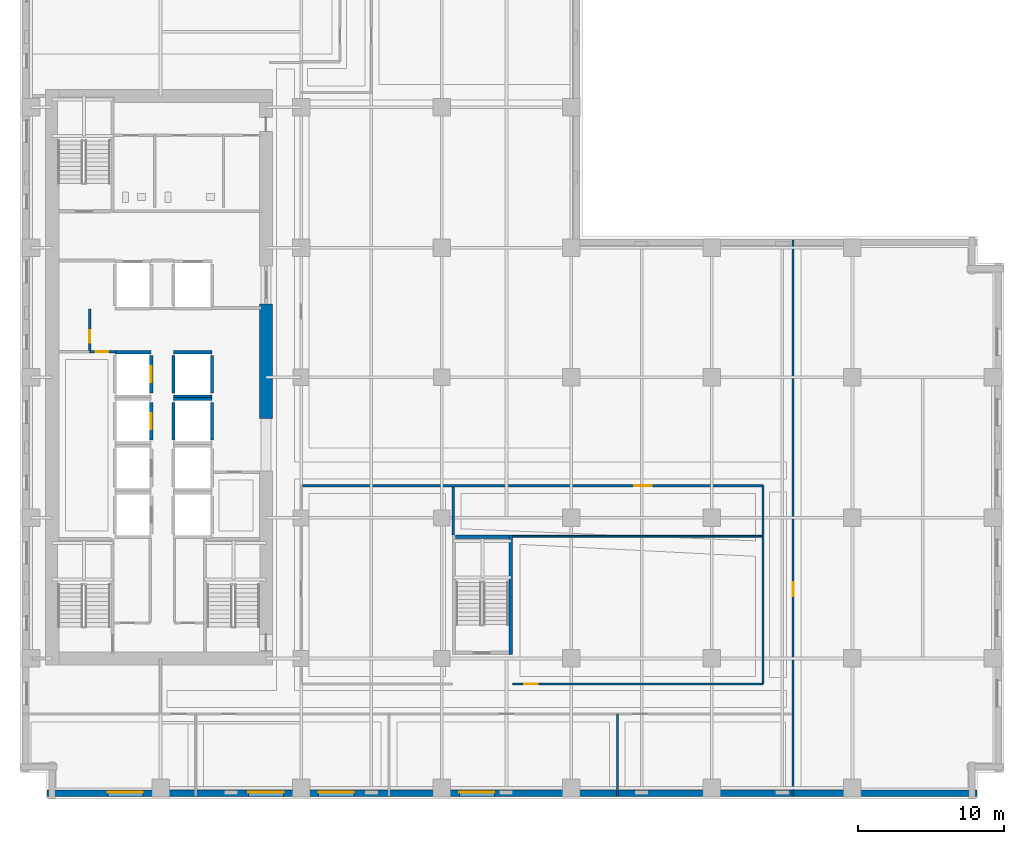
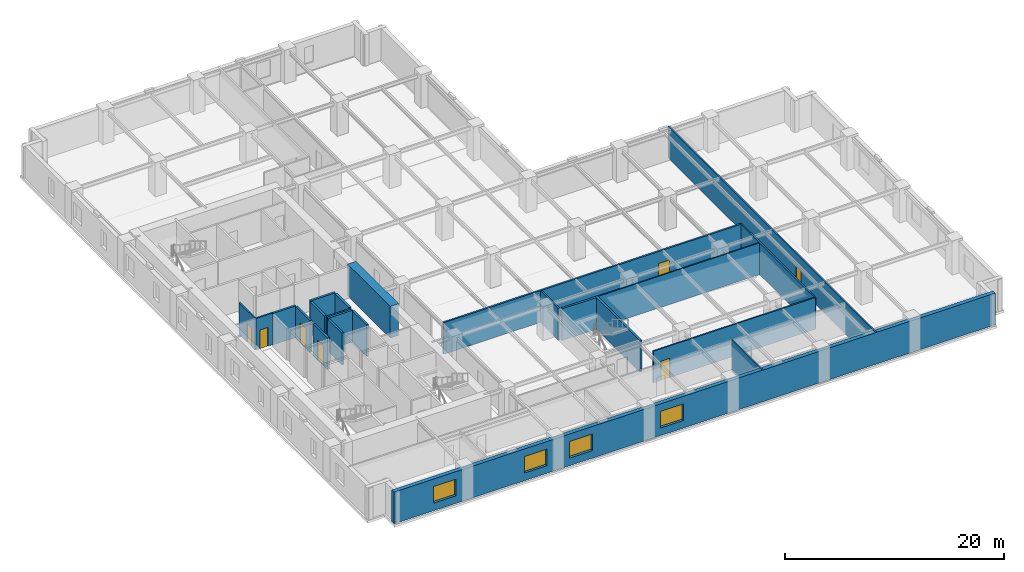
# One storey, part 5 of 13: 23 walls, 7 doors, 4 windows, 11 openings.
"""IFC4 building model written with IfcOpenShell, lengths in metres."""

from ifc_helpers import new_model, si_unit, direction, frame, frame_2d, origin, place, context, subcontext, project, spatial, rectangle, extrude, material, layer, layer_set, type_object, element, fill, save


model = new_model("IFC4")

# Units and contexts
model_context = context("Model", 3, precision=1e-05, world=origin(), true_north=direction((0.0, 1.0)))
body_context = subcontext(model_context, "Body", "Model", "MODEL_VIEW")
ifc_project = project(units=[si_unit("LENGTHUNIT", "METRE"), si_unit("AREAUNIT", "SQUARE_METRE"), si_unit("VOLUMEUNIT", "CUBIC_METRE"), si_unit("PLANEANGLEUNIT", "RADIAN"), si_unit("MASSUNIT", "GRAM", prefix="KILO")], contexts=[model_context])

# Site, building, storey
site_placement = place(None, origin())
site = spatial("IfcSite", under=ifc_project, at=site_placement, CompositionType="ELEMENT")
building_placement = place(site_placement, origin())
building = spatial("IfcBuilding", under=site, at=building_placement, Name="Norrvale University Quadrangle", CompositionType="ELEMENT")
storey_placement = place(building_placement, frame((0.0, 0.0, 35.60009765625)))
storey = spatial("IfcBuildingStorey", under=building, at=storey_placement, Name="L08", CompositionType="ELEMENT", Elevation=35.60009765625)

# Wall, openings, windows
ifc_material_1 = material(Name="Buff Norman Clay Brick Masonry", Category="masonry")
ifc_layer_1 = layer(ifc_material_1, 0.419921875, Name="Buff Norman Clay Brick Masonry")
ifc_layer_set_1 = layer_set([ifc_layer_1], Name="Buff Norman Clay Brick Masonry")
wall_type_1 = type_object("IfcWallType", Name="Wall Buff Brick 420", PredefinedType="SOLIDWALL", material=ifc_layer_set_1)
wall_1_placement = place(storey_placement, frame((1.840087890625, 0.389892578125, 0.0), z_axis=(0.0, 0.0, 1.0), x_axis=(1.0, 0.0, 0.0)))
wall_1 = element("IfcWall", 1, at=wall_1_placement, inside=storey, type_object=wall_type_1, Name="Exterior Brick Facade Wall L08-01.1", PredefinedType="SOLIDWALL", context=body_context, shape_type="SweptSolid", body=[
    extrude(rectangle(XDim=63.52001953125, YDim=0.419921875, at=frame_2d((31.760009765625, 0.0))), origin(), (0.0, 0.0, 1.0), 3.539794921875),
])
opening_1_placement = place(wall_1_placement, frame((4.159912109375, 0.0, 0.85009765625)))
opening_1 = element("IfcOpeningElement", 2, at=opening_1_placement, cuts=wall_1, Name="Opening W02", PredefinedType="OPENING", context=body_context, shape_type="SweptSolid", body=[
    extrude(rectangle(XDim=2.39990234375, YDim=1.85009765625, at=frame_2d((1.199951171875, 0.925048828125))), frame((0.0, 0.221923828125, 0.0), z_axis=(0.0, -1.0, 0.0), x_axis=(1.0, 0.0, 0.0)), (0.0, 0.0, 1.0), 0.44384765625),
])
opening_2_placement = place(wall_1_placement, frame((13.760009765625, 0.0, 0.85009765625)))
opening_2 = element("IfcOpeningElement", 3, at=opening_2_placement, cuts=wall_1, Name="Opening W02", PredefinedType="OPENING", context=body_context, shape_type="SweptSolid", body=[
    extrude(rectangle(XDim=2.39990234375, YDim=1.85009765625, at=frame_2d((1.199951171875, 0.925048828125))), frame((0.0, 0.221923828125, 0.0), z_axis=(0.0, -1.0, 0.0), x_axis=(1.0, 0.0, 0.0)), (0.0, 0.0, 1.0), 0.44384765625),
])
opening_3_placement = place(wall_1_placement, frame((18.56005859375, 0.0, 0.85009765625)))
opening_3 = element("IfcOpeningElement", 4, at=opening_3_placement, cuts=wall_1, Name="Opening W02", PredefinedType="OPENING", context=body_context, shape_type="SweptSolid", body=[
    extrude(rectangle(XDim=2.39990234375, YDim=1.85009765625, at=frame_2d((1.199951171875, 0.925048828125))), frame((0.0, 0.221923828125, 0.0), z_axis=(0.0, -1.0, 0.0), x_axis=(1.0, 0.0, 0.0)), (0.0, 0.0, 1.0), 0.44384765625),
])
opening_4_placement = place(wall_1_placement, frame((28.159912109375, 0.0, 0.85009765625)))
opening_4 = element("IfcOpeningElement", 5, at=opening_4_placement, cuts=wall_1, Name="Opening W02", PredefinedType="OPENING", context=body_context, shape_type="SweptSolid", body=[
    extrude(rectangle(XDim=2.39990234375, YDim=1.85009765625, at=frame_2d((1.199951171875, 0.925048828125))), frame((0.0, 0.221923828125, 0.0), z_axis=(0.0, -1.0, 0.0), x_axis=(1.0, 0.0, 0.0)), (0.0, 0.0, 1.0), 0.44384765625),
])
ifc_material_2 = material(Name="Triple Low-E Argon Glazing", Category="glass")
window_type = type_object("IfcWindowType", Name="Window Academic 2400x2300", PartitioningType="TRIPLE_PANEL_VERTICAL", PredefinedType="WINDOW", material=ifc_material_2)
window_1_placement = place(opening_1_placement, origin())
window_1 = element("IfcWindow", 6, at=window_1_placement, inside=storey, type_object=window_type, Name="Window Academic 2400x2300 WIN-L08-E01-1-01", OverallHeight=1.85009765625, OverallWidth=2.39990234375, PartitioningType="TRIPLE_PANEL_VERTICAL", PredefinedType="WINDOW", context=body_context, shape_type="SweptSolid", body=[
    extrude(rectangle(XDim=2.39990234375, YDim=1.85009765625, at=frame_2d((1.199951171875, 0.925048828125))), frame((0.0, 0.110107421875, 0.0), z_axis=(0.0, -1.0, 0.0), x_axis=(1.0, 0.0, 0.0)), (0.0, 0.0, 1.0), 0.06005859375),
])
fill(opening_1, window_1)
window_2_placement = place(opening_2_placement, origin())
window_2 = element("IfcWindow", 7, at=window_2_placement, inside=storey, type_object=window_type, Name="Window Academic 2400x2300 WIN-L08-E01-1-02", OverallHeight=1.85009765625, OverallWidth=2.39990234375, PartitioningType="TRIPLE_PANEL_VERTICAL", PredefinedType="WINDOW", context=body_context, shape_type="SweptSolid", body=[
    extrude(rectangle(XDim=2.39990234375, YDim=1.85009765625, at=frame_2d((1.199951171875, 0.925048828125))), frame((0.0, 0.110107421875, 0.0), z_axis=(0.0, -1.0, 0.0), x_axis=(1.0, 0.0, 0.0)), (0.0, 0.0, 1.0), 0.06005859375),
])
fill(opening_2, window_2)
window_3_placement = place(opening_3_placement, origin())
window_3 = element("IfcWindow", 8, at=window_3_placement, inside=storey, type_object=window_type, Name="Window Academic 2400x2300 WIN-L08-E01-1-03", OverallHeight=1.85009765625, OverallWidth=2.39990234375, PartitioningType="TRIPLE_PANEL_VERTICAL", PredefinedType="WINDOW", context=body_context, shape_type="SweptSolid", body=[
    extrude(rectangle(XDim=2.39990234375, YDim=1.85009765625, at=frame_2d((1.199951171875, 0.925048828125))), frame((0.0, 0.110107421875, 0.0), z_axis=(0.0, -1.0, 0.0), x_axis=(1.0, 0.0, 0.0)), (0.0, 0.0, 1.0), 0.06005859375),
])
fill(opening_3, window_3)
window_4_placement = place(opening_4_placement, origin())
window_4 = element("IfcWindow", 9, at=window_4_placement, inside=storey, type_object=window_type, Name="Window Academic 2400x2300 WIN-L08-E01-1-04", OverallHeight=1.85009765625, OverallWidth=2.39990234375, PartitioningType="TRIPLE_PANEL_VERTICAL", PredefinedType="WINDOW", context=body_context, shape_type="SweptSolid", body=[
    extrude(rectangle(XDim=2.39990234375, YDim=1.85009765625, at=frame_2d((1.199951171875, 0.925048828125))), frame((0.0, 0.110107421875, 0.0), z_axis=(0.0, -1.0, 0.0), x_axis=(1.0, 0.0, 0.0)), (0.0, 0.0, 1.0), 0.06005859375),
])
fill(opening_4, window_4)

# Walls
ifc_material_3 = material(Name="Concrete C80/95", Category="concrete")
ifc_layer_2 = layer(ifc_material_3, 0.89990234375, Name="Concrete C80/95")
ifc_layer_set_2 = layer_set([ifc_layer_2], Name="Concrete C80/95")
wall_type_2 = type_object("IfcWallType", Name="Wall Core 900", PredefinedType="SHEAR", material=ifc_layer_set_2)
wall_2_placement = place(storey_placement, frame((16.800048828125, 26.0, 0.0), z_axis=(0.0, 0.0, 1.0), x_axis=(0.0, 1.0, 0.0)))
element("IfcWall", 10, at=wall_2_placement, inside=storey, type_object=wall_type_2, Name="Tower Core Shear Wall L08-E2", PredefinedType="SHEAR", context=body_context, shape_type="SweptSolid", body=[
    extrude(rectangle(XDim=7.800048828125, YDim=0.89990234375, at=frame_2d((3.89990234375, 0.0))), origin(), (0.0, 0.0, 1.0), 3.539794921875),
])
ifc_material_4 = material(Name="Standard Academic Gypsum Partition")
ifc_layer_3 = layer(ifc_material_4, 0.125, Name="Standard Academic Gypsum Partition")
ifc_layer_set_3 = layer_set([ifc_layer_3], Name="Standard Academic Gypsum Partition")
wall_type_3 = type_object("IfcWallType", Name="Wall Gypsum Academic 125", PredefinedType="PARTITIONING", material=ifc_layer_set_3)
wall_3_placement = place(storey_placement, frame((40.800048828125, 0.219970703125, 0.0), z_axis=(0.0, 0.0, 1.0), x_axis=(0.0, 1.0, 0.0)))
element("IfcWall", 11, at=wall_3_placement, inside=storey, type_object=wall_type_3, Name="Interior Partition WL-L08-SP03", PredefinedType="PARTITIONING", context=body_context, shape_type="SweptSolid", body=[
    extrude(rectangle(XDim=5.580078125, YDim=0.125, at=frame_2d((2.7900390625, 0.0))), origin(), (0.0, 0.0, 1.0), 3.539794921875),
])
wall_4_placement = place(storey_placement, frame((33.6201171875, 17.93994140625, 0.0), z_axis=(0.0, 0.0, 1.0), x_axis=(1.0, 0.0, 0.0)))
element("IfcWall", 12, at=wall_4_placement, inside=storey, type_object=wall_type_3, Name="Interior Partition WL-L08-ISLH", PredefinedType="PARTITIONING", context=body_context, shape_type="SweptSolid", body=[
    extrude(rectangle(XDim=17.1298828125, YDim=0.125, at=frame_2d((8.56494140625, 0.0))), origin(), (0.0, 0.0, 1.0), 3.539794921875),
])

# Wall, opening, door
ifc_material_5 = material(Name="Fire-Rated Gypsum Stud Partition")
ifc_layer_4 = layer(ifc_material_5, 0.14990234375, Name="Fire-Rated Gypsum Stud Partition")
ifc_layer_set_4 = layer_set([ifc_layer_4], Name="Fire-Rated Gypsum Stud Partition")
wall_type_4 = type_object("IfcWallType", Name="Wall Gypsum Corridor 150", PredefinedType="PARTITIONING", material=ifc_layer_set_4)
wall_5_placement = place(storey_placement, frame((4.760009765625, 30.550048828125, 0.0), z_axis=(0.0, 0.0, 1.0), x_axis=(0.0, 1.0, 0.0)))
wall_5 = element("IfcWall", 13, at=wall_5_placement, inside=storey, type_object=wall_type_4, Name="Interior Partition WL-L08-WME-E", PredefinedType="PARTITIONING", context=body_context, shape_type="SweptSolid", body=[
    extrude(rectangle(XDim=2.929931640625, YDim=0.14990234375, at=frame_2d((1.46484375, 0.0))), origin(), (0.0, 0.0, 1.0), 3.539794921875),
])
opening_5_placement = place(wall_5_placement, frame((0.60009765625, 0.0, 0.0)))
opening_5 = element("IfcOpeningElement", 14, at=opening_5_placement, cuts=wall_5, Name="Opening D10", PredefinedType="OPENING", context=body_context, shape_type="SweptSolid", body=[
    extrude(rectangle(XDim=0.85009765625, YDim=2.10009765625, at=frame_2d((0.425048828125, 1.050048828125))), frame((0.0, 0.0869140625, 0.0), z_axis=(0.0, -1.0, 0.0), x_axis=(1.0, 0.0, 0.0)), (0.0, 0.0, 1.0), 0.173828125),
])
ifc_material_6 = material(Name="Hollow Steel 350W Riser Fire Door", Category="steel")
door_type_1 = type_object("IfcDoorType", Name="Door Riser 850x2100", OperationType="NOTDEFINED", PredefinedType="DOOR", material=ifc_material_6)
door_1_placement = place(opening_5_placement, origin())
door_1 = element("IfcDoor", 15, at=door_1_placement, inside=storey, type_object=door_type_1, Name="Door Riser 850x2100 DR-L08-WME", OperationType="SINGLE_SWING_LEFT", OverallHeight=2.10009765625, OverallWidth=0.85009765625, PredefinedType="DOOR", context=body_context, shape_type="SweptSolid", body=[
    extrude(rectangle(XDim=0.85009765625, YDim=2.10009765625, at=frame_2d((0.425048828125, 1.050048828125))), frame((0.0, 0.02490234375, 0.0), z_axis=(0.0, -1.0, 0.0), x_axis=(1.0, 0.0, 0.0)), (0.0, 0.0, 1.0), 0.050048828125),
])
fill(opening_5, door_1)

wall_6_placement = place(storey_placement, frame((4.760009765625, 30.550048828125, 0.0), z_axis=(0.0, 0.0, 1.0), x_axis=(1.0, 0.0, 0.0)))
wall_6 = element("IfcWall", 16, at=wall_6_placement, inside=storey, type_object=wall_type_4, Name="Interior Partition WL-L08-WST-N", PredefinedType="PARTITIONING", context=body_context, shape_type="SweptSolid", body=[
    extrude(rectangle(XDim=1.760009765625, YDim=0.14990234375, at=frame_2d((0.8798828125, 0.0))), origin(), (0.0, 0.0, 1.0), 3.539794921875),
])
opening_6_placement = place(wall_6_placement, frame((0.39990234375, 0.0, 0.0)))
opening_6 = element("IfcOpeningElement", 17, at=opening_6_placement, cuts=wall_6, Name="Opening D10", PredefinedType="OPENING", context=body_context, shape_type="SweptSolid", body=[
    extrude(rectangle(XDim=0.85009765625, YDim=2.10009765625, at=frame_2d((0.425048828125, 1.050048828125))), frame((0.0, 0.0869140625, 0.0), z_axis=(0.0, -1.0, 0.0), x_axis=(1.0, 0.0, 0.0)), (0.0, 0.0, 1.0), 0.173828125),
])
door_2_placement = place(opening_6_placement, origin())
door_2 = element("IfcDoor", 18, at=door_2_placement, inside=storey, type_object=door_type_1, Name="Door Riser 850x2100 DR-L08-WST", OperationType="SINGLE_SWING_RIGHT", OverallHeight=2.10009765625, OverallWidth=0.85009765625, PredefinedType="DOOR", context=body_context, shape_type="SweptSolid", body=[
    extrude(rectangle(XDim=0.85009765625, YDim=2.10009765625, at=frame_2d((0.425048828125, 1.050048828125))), frame((0.0, 0.02490234375, 0.0), z_axis=(0.0, -1.0, 0.0), x_axis=(1.0, 0.0, 0.0)), (0.0, 0.0, 1.0), 0.050048828125),
])
fill(opening_6, door_2)

wall_7_placement = place(storey_placement, frame((52.800048828125, 0.219970703125, 0.0), z_axis=(0.0, 0.0, 1.0), x_axis=(0.0, 1.0, 0.0)))
wall_7 = element("IfcWall", 19, at=wall_7_placement, inside=storey, type_object=wall_type_4, Name="Interior Partition WL-L08-ECW", PredefinedType="PARTITIONING", context=body_context, shape_type="SweptSolid", body=[
    extrude(rectangle(XDim=37.9599609375, YDim=0.14990234375, at=frame_2d((18.97998046875, 0.0))), origin(), (0.0, 0.0, 1.0), 3.539794921875),
])
opening_7_placement = place(wall_7_placement, frame((13.6298828125, 0.0, 0.0)))
opening_7 = element("IfcOpeningElement", 20, at=opening_7_placement, cuts=wall_7, Name="Opening D07", PredefinedType="OPENING", context=body_context, shape_type="SweptSolid", body=[
    extrude(rectangle(XDim=0.949951171875, YDim=2.14990234375, at=frame_2d((0.47509765625, 1.074951171875))), frame((0.0, 0.0869140625, 0.0), z_axis=(0.0, -1.0, 0.0), x_axis=(1.0, 0.0, 0.0)), (0.0, 0.0, 1.0), 0.173828125),
])
ifc_material_7 = material(Name="Solid-Core Maple Door", Category="wood")
door_type_2 = type_object("IfcDoorType", Name="Door Office 950x2150", OperationType="NOTDEFINED", PredefinedType="DOOR", material=ifc_material_7)
door_3_placement = place(opening_7_placement, origin())
door_3 = element("IfcDoor", 21, at=door_3_placement, inside=storey, type_object=door_type_2, Name="Door Office 950x2150 DR-L08-E01", OperationType="SINGLE_SWING_RIGHT", OverallHeight=2.14990234375, OverallWidth=0.949951171875, PredefinedType="DOOR", context=body_context, shape_type="SweptSolid", body=[
    extrude(rectangle(XDim=0.949951171875, YDim=2.14990234375, at=frame_2d((0.47509765625, 1.074951171875))), frame((0.0, 0.02490234375, 0.0), z_axis=(0.0, -1.0, 0.0), x_axis=(1.0, 0.0, 0.0)), (0.0, 0.0, 1.0), 0.050048828125),
])
fill(opening_7, door_3)

wall_8_placement = place(storey_placement, frame((33.6201171875, 7.85009765625, 0.0), z_axis=(0.0, 0.0, 1.0), x_axis=(1.0, 0.0, 0.0)))
wall_8 = element("IfcWall", 22, at=wall_8_placement, inside=storey, type_object=wall_type_4, Name="Interior Partition WL-L08-ISLS2", PredefinedType="PARTITIONING", context=body_context, shape_type="SweptSolid", body=[
    extrude(rectangle(XDim=17.1298828125, YDim=0.14990234375, at=frame_2d((8.56494140625, 0.0))), origin(), (0.0, 0.0, 1.0), 3.539794921875),
])
opening_8_placement = place(wall_8_placement, frame((0.800048828125, 0.0, 0.0)))
opening_8 = element("IfcOpeningElement", 23, at=opening_8_placement, cuts=wall_8, Name="Opening D07", PredefinedType="OPENING", context=body_context, shape_type="SweptSolid", body=[
    extrude(rectangle(XDim=0.949951171875, YDim=2.14990234375, at=frame_2d((0.47509765625, 1.074951171875))), frame((0.0, 0.0869140625, 0.0), z_axis=(0.0, -1.0, 0.0), x_axis=(1.0, 0.0, 0.0)), (0.0, 0.0, 1.0), 0.173828125),
])
door_4_placement = place(opening_8_placement, origin())
door_4 = element("IfcDoor", 24, at=door_4_placement, inside=storey, type_object=door_type_2, Name="Door Office 950x2150 DR-L08-ISE", OperationType="SINGLE_SWING_LEFT", OverallHeight=2.14990234375, OverallWidth=0.949951171875, PredefinedType="DOOR", context=body_context, shape_type="SweptSolid", body=[
    extrude(rectangle(XDim=0.949951171875, YDim=2.14990234375, at=frame_2d((0.47509765625, 1.074951171875))), frame((0.0, 0.02490234375, 0.0), z_axis=(0.0, -1.0, 0.0), x_axis=(1.0, 0.0, 0.0)), (0.0, 0.0, 1.0), 0.050048828125),
])
fill(opening_8, door_4)

# Walls
wall_9_placement = place(storey_placement, frame((50.75, 7.85009765625, 0.0), z_axis=(0.0, 0.0, 1.0), x_axis=(0.0, 1.0, 0.0)))
element("IfcWall", 25, at=wall_9_placement, inside=storey, type_object=wall_type_4, Name="Interior Partition WL-L08-ISLE", PredefinedType="PARTITIONING", context=body_context, shape_type="SweptSolid", body=[
    extrude(rectangle(XDim=13.5498046875, YDim=0.14990234375, at=frame_2d((6.77490234375, 0.0))), origin(), (0.0, 0.0, 1.0), 3.539794921875),
])
ifc_material_8 = material(Name="Acoustic Double-Stud Gypsum Partition")
ifc_layer_5 = layer(ifc_material_8, 0.179931640625, Name="Acoustic Double-Stud Gypsum Partition")
ifc_layer_set_5 = layer_set([ifc_layer_5], Name="Acoustic Double-Stud Gypsum Partition")
wall_type_5 = type_object("IfcWallType", Name="Wall Gypsum Lecture 180", PredefinedType="PARTITIONING", material=ifc_layer_set_5)
wall_10_placement = place(storey_placement, frame((29.580078125, 18.02490234375, 0.0), z_axis=(0.0, 0.0, 1.0), x_axis=(0.0, 1.0, 0.0)))
element("IfcWall", 26, at=wall_10_placement, inside=storey, type_object=wall_type_5, Name="Interior Partition WL-L08-ISLD", PredefinedType="PARTITIONING", context=body_context, shape_type="SweptSolid", body=[
    extrude(rectangle(XDim=3.280029296875, YDim=0.179931640625, at=frame_2d((1.64013671875, 0.0))), origin(), (0.0, 0.0, 1.0), 3.539794921875),
])

# Wall, opening, door
wall_11_placement = place(storey_placement, frame((19.280029296875, 21.39990234375, 0.0), z_axis=(0.0, 0.0, 1.0), x_axis=(1.0, 0.0, 0.0)))
wall_11 = element("IfcWall", 27, at=wall_11_placement, inside=storey, type_object=wall_type_5, Name="Interior Partition WL-L08-ISLN", PredefinedType="PARTITIONING", context=body_context, shape_type="SweptSolid", body=[
    extrude(rectangle(XDim=31.469970703125, YDim=0.179931640625, at=frame_2d((15.73486328125, 0.0))), origin(), (0.0, 0.0, 1.0), 3.539794921875),
])
opening_9_placement = place(wall_11_placement, frame((22.669921875, 0.0, 0.0)))
opening_9 = element("IfcOpeningElement", 28, at=opening_9_placement, cuts=wall_11, Name="Opening D05", PredefinedType="OPENING", context=body_context, shape_type="SweptSolid", body=[
    extrude(rectangle(XDim=1.199951171875, YDim=2.199951171875, at=frame_2d((0.60009765625, 1.10009765625))), frame((0.0, 0.10205078125, 0.0), z_axis=(0.0, -1.0, 0.0), x_axis=(1.0, 0.0, 0.0)), (0.0, 0.0, 1.0), 0.203857421875),
])
ifc_material_9 = material(Name="Acoustic Oak Classroom Door", Category="wood")
door_type_3 = type_object("IfcDoorType", Name="Door Classroom 1200x2200", OperationType="NOTDEFINED", PredefinedType="DOOR", material=ifc_material_9)
door_5_placement = place(opening_9_placement, origin())
door_5 = element("IfcDoor", 29, at=door_5_placement, inside=storey, type_object=door_type_3, Name="Door Classroom 1200x2200 DR-L08-ILH", OperationType="SINGLE_SWING_RIGHT", OverallHeight=2.199951171875, OverallWidth=1.199951171875, PredefinedType="DOOR", context=body_context, shape_type="SweptSolid", body=[
    extrude(rectangle(XDim=1.199951171875, YDim=2.199951171875, at=frame_2d((0.60009765625, 1.10009765625))), frame((0.0, 0.02490234375, 0.0), z_axis=(0.0, -1.0, 0.0), x_axis=(1.0, 0.0, 0.0)), (0.0, 0.0, 1.0), 0.050048828125),
])
fill(opening_9, door_5)

# Walls
ifc_material_10 = material(Name="Concrete Blockwork 20 MPa Fire Shaft", Category="masonry")
ifc_layer_6 = layer(ifc_material_10, 0.219970703125, Name="Concrete Blockwork 20 MPa Fire Shaft")
ifc_layer_set_6 = layer_set([ifc_layer_6], Name="Concrete Blockwork 20 MPa Fire Shaft")
wall_type_6 = type_object("IfcWallType", Name="Wall Shaft 220", PredefinedType="SOLIDWALL", material=ifc_layer_set_6)
wall_12_placement = place(storey_placement, frame((33.510009765625, 9.8798828125, 0.0), z_axis=(0.0, 0.0, 1.0), x_axis=(0.0, 1.0, 0.0)))
element("IfcWall", 30, at=wall_12_placement, inside=storey, type_object=wall_type_6, Name="Stair ST-04 East Shaft Wall L08", PredefinedType="SOLIDWALL", context=body_context, shape_type="SweptSolid", body=[
    extrude(rectangle(XDim=8.14013671875, YDim=0.219970703125, at=frame_2d((4.070068359375, 0.0))), origin(), (0.0, 0.0, 1.0), 3.539794921875),
])
wall_13_placement = place(storey_placement, frame((29.75, 17.909912109375, 0.0), z_axis=(0.0, 0.0, 1.0), x_axis=(1.0, 0.0, 0.0)))
element("IfcWall", 31, at=wall_13_placement, inside=storey, type_object=wall_type_6, Name="Stair ST-04 North Shaft Wall L08", PredefinedType="SOLIDWALL", context=body_context, shape_type="SweptSolid", body=[
    extrude(rectangle(XDim=3.64990234375, YDim=0.219970703125, at=frame_2d((1.824951171875, 0.0))), origin(), (0.0, 0.0, 1.0), 3.539794921875),
])

# Wall, opening, door
wall_14_placement = place(storey_placement, frame((8.9599609375, 24.510009765625, 0.0), z_axis=(0.0, 0.0, 1.0), x_axis=(0.0, 1.0, 0.0)))
wall_14 = element("IfcWall", 32, at=wall_14_placement, inside=storey, type_object=wall_type_6, Name="Hoistway PL-03 East Wall L08", PredefinedType="SOLIDWALL", context=body_context, shape_type="SweptSolid", body=[
    extrude(rectangle(XDim=2.580078125, YDim=0.219970703125, at=frame_2d((1.2900390625, 0.0))), origin(), (0.0, 0.0, 1.0), 3.539794921875),
])
opening_10_placement = place(wall_14_placement, frame((0.739990234375, 0.0, 0.0)))
opening_10 = element("IfcOpeningElement", 33, at=opening_10_placement, cuts=wall_14, Name="Opening LD1", PredefinedType="OPENING", context=body_context, shape_type="SweptSolid", body=[
    extrude(rectangle(XDim=1.10009765625, YDim=2.199951171875, at=frame_2d((0.550048828125, 1.10009765625))), frame((0.0, 0.1220703125, 0.0), z_axis=(0.0, -1.0, 0.0), x_axis=(1.0, 0.0, 0.0)), (0.0, 0.0, 1.0), 0.243896484375),
])
ifc_material_11 = material(Name="Stainless Steel 316L Lift Landing Door", Category="steel")
door_type_4 = type_object("IfcDoorType", Name="Door Lift Landing 1100x2200", OperationType="DOUBLE_DOOR_SLIDING", PredefinedType="DOOR", material=ifc_material_11)
door_6_placement = place(opening_10_placement, origin())
door_6 = element("IfcDoor", 34, at=door_6_placement, inside=storey, type_object=door_type_4, Name="Elevator Landing Door DR-L08-PL-03", OperationType="DOUBLE_DOOR_SLIDING", OverallHeight=2.199951171875, OverallWidth=1.10009765625, PredefinedType="DOOR", context=body_context, shape_type="SweptSolid", body=[
    extrude(rectangle(XDim=1.10009765625, YDim=2.199951171875, at=frame_2d((0.550048828125, 1.10009765625))), frame((0.0, 0.02490234375, 0.0), z_axis=(0.0, -1.0, 0.0), x_axis=(1.0, 0.0, 0.0)), (0.0, 0.0, 1.0), 0.050048828125),
])
fill(opening_10, door_6)

wall_15_placement = place(storey_placement, frame((8.9599609375, 27.7099609375, 0.0), z_axis=(0.0, 0.0, 1.0), x_axis=(0.0, 1.0, 0.0)))
wall_15 = element("IfcWall", 35, at=wall_15_placement, inside=storey, type_object=wall_type_6, Name="Hoistway PL-04 East Wall L08", PredefinedType="SOLIDWALL", context=body_context, shape_type="SweptSolid", body=[
    extrude(rectangle(XDim=2.580078125, YDim=0.219970703125, at=frame_2d((1.2900390625, 0.0))), origin(), (0.0, 0.0, 1.0), 3.539794921875),
])
opening_11_placement = place(wall_15_placement, frame((0.739990234375, 0.0, 0.0)))
opening_11 = element("IfcOpeningElement", 36, at=opening_11_placement, cuts=wall_15, Name="Opening LD1", PredefinedType="OPENING", context=body_context, shape_type="SweptSolid", body=[
    extrude(rectangle(XDim=1.10009765625, YDim=2.199951171875, at=frame_2d((0.550048828125, 1.10009765625))), frame((0.0, 0.1220703125, 0.0), z_axis=(0.0, -1.0, 0.0), x_axis=(1.0, 0.0, 0.0)), (0.0, 0.0, 1.0), 0.243896484375),
])
door_7_placement = place(opening_11_placement, origin())
door_7 = element("IfcDoor", 37, at=door_7_placement, inside=storey, type_object=door_type_4, Name="Elevator Landing Door DR-L08-PL-04", OperationType="DOUBLE_DOOR_SLIDING", OverallHeight=2.199951171875, OverallWidth=1.10009765625, PredefinedType="DOOR", context=body_context, shape_type="SweptSolid", body=[
    extrude(rectangle(XDim=1.10009765625, YDim=2.199951171875, at=frame_2d((0.550048828125, 1.10009765625))), frame((0.0, 0.02490234375, 0.0), z_axis=(0.0, -1.0, 0.0), x_axis=(1.0, 0.0, 0.0)), (0.0, 0.0, 1.0), 0.050048828125),
])
fill(opening_11, door_7)

# Walls
wall_16_placement = place(storey_placement, frame((6.489990234375, 30.510009765625, 0.0), z_axis=(0.0, 0.0, 1.0), x_axis=(1.0, 0.0, 0.0)))
element("IfcWall", 38, at=wall_16_placement, inside=storey, type_object=wall_type_6, Name="Hoistway PL-04 North Wall L08", PredefinedType="SOLIDWALL", context=body_context, shape_type="SweptSolid", body=[
    extrude(rectangle(XDim=2.469970703125, YDim=0.219970703125, at=frame_2d((1.23486328125, 0.0))), origin(), (0.0, 0.0, 1.0), 3.539794921875),
])
for number, where, z_axis, x_axis, name in (
    (39, (10.489990234375, 24.510009765625, 0.0), (0.0, 0.0, 1.0), (0.0, 1.0, 0.0), "Hoistway PL-07 West Wall L08"),
    (40, (13.110107421875, 24.510009765625, 0.0), (0.0, 0.0, 1.0), (0.0, 1.0, 0.0), "Hoistway PL-07 East Wall L08"),
):
    element("IfcWall", number, at=place(storey_placement, frame(where, z_axis=z_axis, x_axis=x_axis)), inside=storey, type_object=wall_type_6, Name=name, PredefinedType="SOLIDWALL", context=body_context, shape_type="SweptSolid", body=[
        extrude(rectangle(XDim=2.580078125, YDim=0.219970703125, at=frame_2d((1.2900390625, 0.0))), origin(), (0.0, 0.0, 1.0), 3.539794921875),
    ])
wall_17_placement = place(storey_placement, frame((10.489990234375, 27.31005859375, 0.0), z_axis=(0.0, 0.0, 1.0), x_axis=(1.0, 0.0, 0.0)))
element("IfcWall", 41, at=wall_17_placement, inside=storey, type_object=wall_type_6, Name="Hoistway PL-07 North Wall L08", PredefinedType="SOLIDWALL", context=body_context, shape_type="SweptSolid", body=[
    extrude(rectangle(XDim=2.6201171875, YDim=0.219970703125, at=frame_2d((1.31005859375, 0.0))), origin(), (0.0, 0.0, 1.0), 3.539794921875),
])
for number, where, z_axis, x_axis, name in (
    (42, (10.489990234375, 27.7099609375, 0.0), (0.0, 0.0, 1.0), (0.0, 1.0, 0.0), "Hoistway PL-08 West Wall L08"),
    (43, (13.110107421875, 27.7099609375, 0.0), (0.0, 0.0, 1.0), (0.0, 1.0, 0.0), "Hoistway PL-08 East Wall L08"),
):
    element("IfcWall", number, at=place(storey_placement, frame(where, z_axis=z_axis, x_axis=x_axis)), inside=storey, type_object=wall_type_6, Name=name, PredefinedType="SOLIDWALL", context=body_context, shape_type="SweptSolid", body=[
        extrude(rectangle(XDim=2.580078125, YDim=0.219970703125, at=frame_2d((1.2900390625, 0.0))), origin(), (0.0, 0.0, 1.0), 3.539794921875),
    ])
for number, where, z_axis, x_axis, name in (
    (44, (10.489990234375, 27.489990234375, 0.0), (0.0, 0.0, 1.0), (1.0, 0.0, 0.0), "Hoistway PL-08 South Wall L08"),
    (45, (10.489990234375, 30.510009765625, 0.0), (0.0, 0.0, 1.0), (1.0, 0.0, 0.0), "Hoistway PL-08 North Wall L08"),
):
    element("IfcWall", number, at=place(storey_placement, frame(where, z_axis=z_axis, x_axis=x_axis)), inside=storey, type_object=wall_type_6, Name=name, PredefinedType="SOLIDWALL", context=body_context, shape_type="SweptSolid", body=[
        extrude(rectangle(XDim=2.6201171875, YDim=0.219970703125, at=frame_2d((1.31005859375, 0.0))), origin(), (0.0, 0.0, 1.0), 3.539794921875),
    ])

save(model, "model.ifc")
